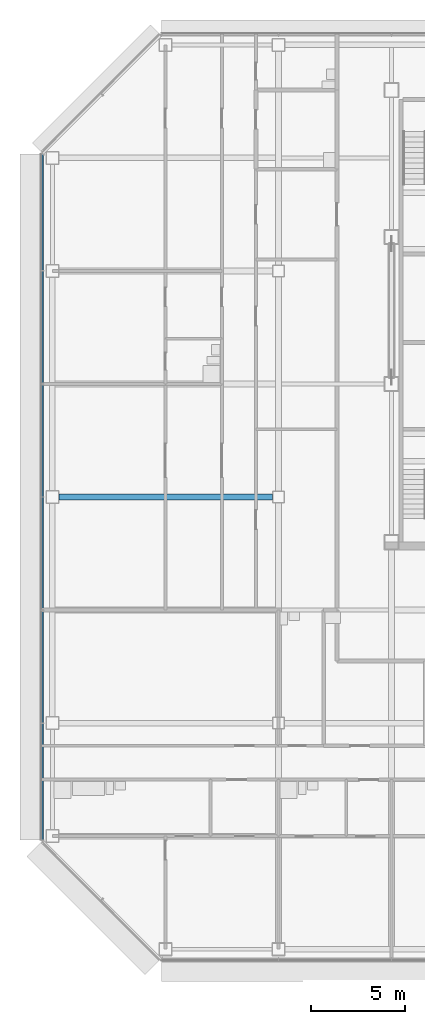
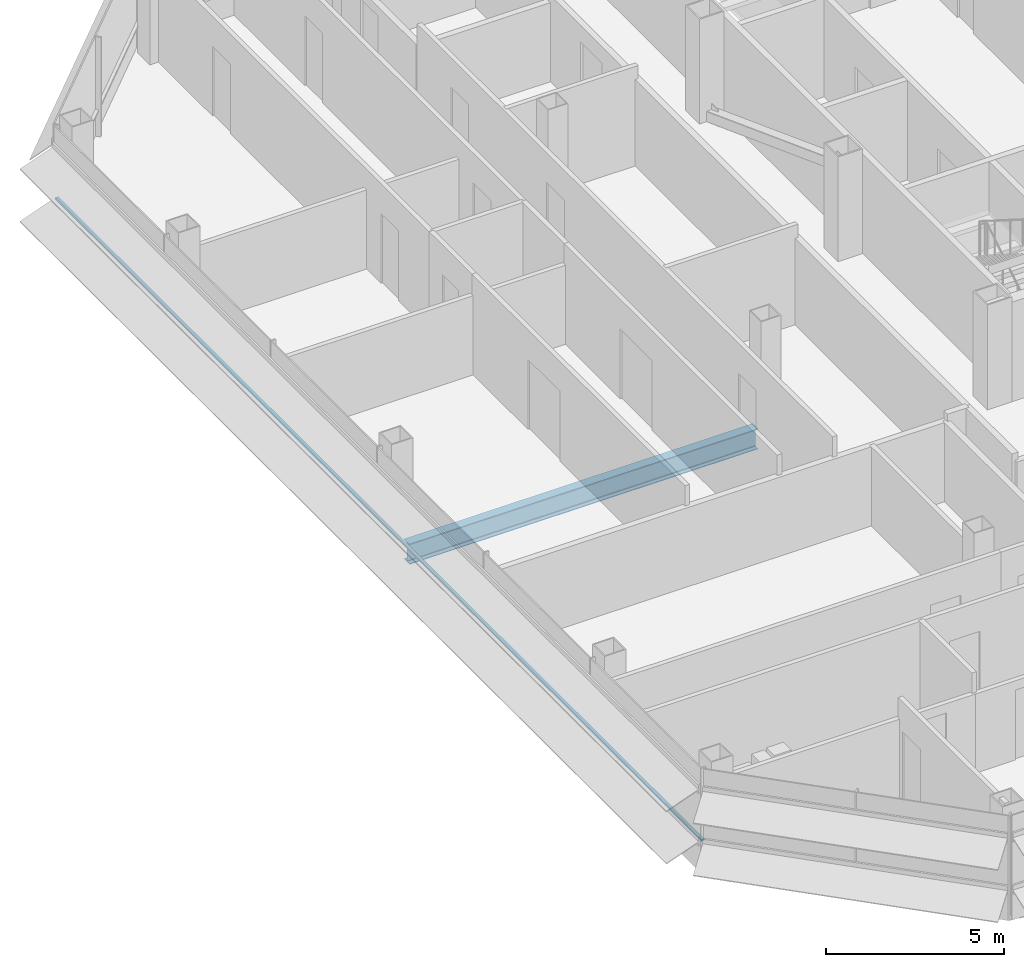
# One storey, part 5 of 27: 1 beam, 1 member, 1 element without a shape of its own.
"""IFC4 building model written with IfcOpenShell, lengths in metres."""

from ifc_helpers import new_model, si_unit, direction, frame, origin, origin_2d, place, context, subcontext, project, spatial, rectangle, i_section, extrude, material, material_profile, profile_set, type_object, element, aggregate, save


model = new_model("IFC4")

# Units and contexts
model_context = context("Model", 3, precision=1e-05, world=origin(), true_north=direction((0.0, 1.0)))
body_context = subcontext(model_context, "Body", "Model", "MODEL_VIEW")
ifc_project = project(units=[si_unit("LENGTHUNIT", "METRE"), si_unit("AREAUNIT", "SQUARE_METRE"), si_unit("VOLUMEUNIT", "CUBIC_METRE"), si_unit("PLANEANGLEUNIT", "RADIAN"), si_unit("MASSUNIT", "GRAM", prefix="KILO")], contexts=[model_context])

# Site, building, storey
site_placement = place(None, origin())
site = spatial("IfcSite", under=ifc_project, at=site_placement, CompositionType="ELEMENT")
building_placement = place(site_placement, origin())
building = spatial("IfcBuilding", under=site, at=building_placement, Name="Sorahane Residences", CompositionType="ELEMENT")
storey_placement = place(building_placement, frame((0.0, 0.0, 195.60009765625)))
storey = spatial("IfcBuildingStorey", under=building, at=storey_placement, Name="L45", CompositionType="ELEMENT", Elevation=195.60009765625)

# Curtain wall, member
ifc_material_1 = material(Name="Dark low-e glass and black anodised aluminium", Category="aluminium")
curtain_wall_type = type_object("IfcCurtainWallType", Name="Curtain wall CW-1 Typical unitised wall", PredefinedType="NOTDEFINED", material=ifc_material_1)
curtain_wall_placement = place(storey_placement, origin())
curtain_wall = element("IfcCurtainWall", 1, at=curtain_wall_placement, inside=storey, type_object=curtain_wall_type, Name="CW-1 curtain wall L45 W1", PredefinedType="NOTDEFINED")
ifc_material_2 = material(Name="Black anodised aluminium", Category="aluminium")
ifc_material_profile_1 = material_profile(ifc_material_2, rectangle(XDim=0.10009765625, YDim=0.06005859375, at=origin_2d()), Name="Curtain wall transom CW-1 black anodised aluminium 60x100")
ifc_profile_set_1 = profile_set([ifc_material_profile_1], Name="Black anodised aluminium")
member_type = type_object("IfcMemberType", Name="Curtain wall transom CW-1 black anodised aluminium 60x100", PredefinedType="USERDEFINED", material=ifc_profile_set_1)
member_placement = place(storey_placement, frame((-12.530029296875, 42.198486328125, 0.89990234375), z_axis=(0.0, -1.0, 0.0), x_axis=(1.0, 0.0, 0.0)))
member = element("IfcMember", 2, at=member_placement, type_object=member_type, Name="CW-1 transom L45 W1", ObjectType="TRANSOM", PredefinedType="USERDEFINED", context=body_context, shape_type="SweptSolid", body=[
    extrude(rectangle(XDim=0.10009765625, YDim=0.06005859375, at=origin_2d()), origin(), (0.0, 0.0, 1.0), 36.39697265625),
])
aggregate(curtain_wall, [member])

# Beam
ifc_material_3 = material(Name="Steel Q355B", Category="steel")
ifc_material_profile_2 = material_profile(ifc_material_3, i_section(OverallWidth=0.300048828125, OverallDepth=0.699951171875, WebThickness=0.012939453125, FlangeThickness=0.02392578125, FilletRadius=0.028076171875, at=origin_2d()), Name="HN 700x300x13x24")
ifc_profile_set_2 = profile_set([ifc_material_profile_2], Name="Steel Q355B")
beam_type = type_object("IfcBeamType", Name="Steel floor beam HN 700x300x13x24 Q355B", PredefinedType="BEAM", material=ifc_profile_set_2)
beam_placement = place(storey_placement, frame((-11.64990234375, 24.0, -0.530029296875), z_axis=(1.0, 0.0, 0.0), x_axis=(0.0, 1.0, 0.0)))
element("IfcBeam", 3, at=beam_placement, inside=storey, type_object=beam_type, Name="Beam L45 011", PredefinedType="BEAM", context=body_context, shape_type="SweptSolid", body=[
    extrude(i_section(OverallWidth=0.300048828125, OverallDepth=0.699951171875, WebThickness=0.012939453125, FlangeThickness=0.02392578125, FilletRadius=0.028076171875, at=origin_2d()), origin(), (0.0, 0.0, 1.0), 11.324951171875),
])

save(model, "model.ifc")
